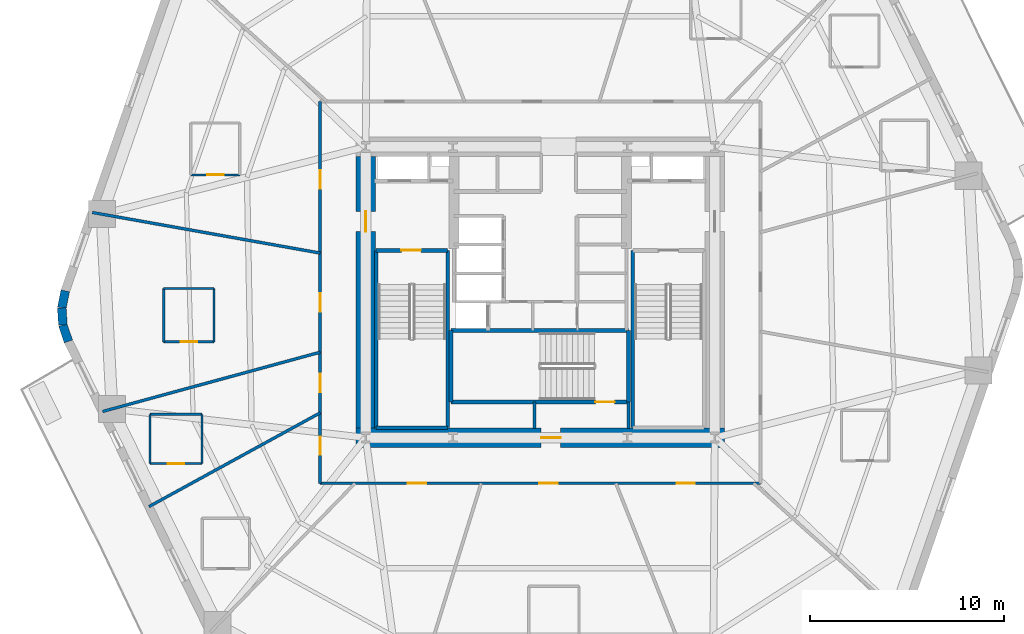
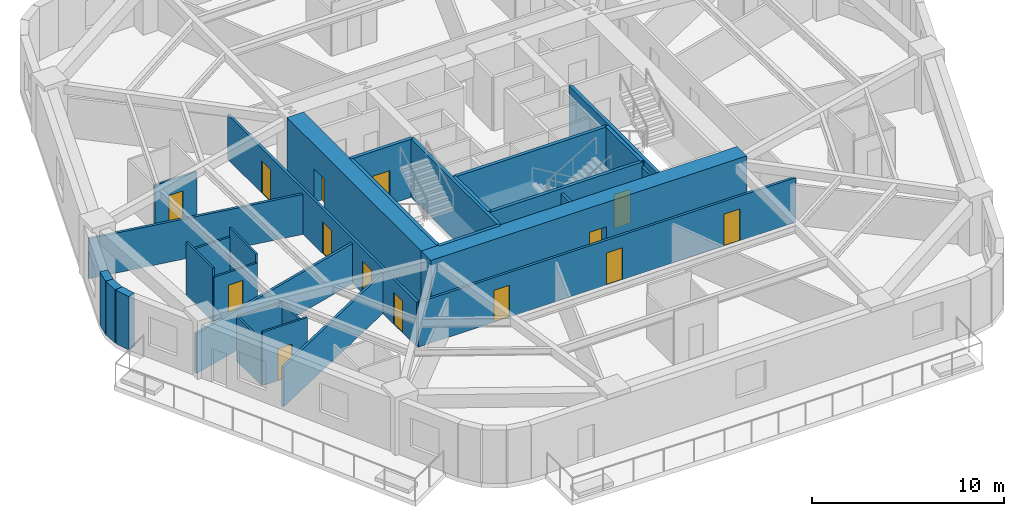
# One storey, part 3 of 10: 30 walls, 14 doors, 14 openings.
"""IFC4 building model written with IfcOpenShell, lengths in metres."""

from ifc_helpers import new_model, si_unit, direction, frame, frame_2d, origin, place, context, subcontext, project, spatial, rectangle, extrude, material, layer, layer_set, type_object, element, fill, save


model = new_model("IFC4")

# Units and contexts
model_context = context("Model", 3, precision=1e-05, world=origin(), true_north=direction((0.0, 1.0)))
body_context = subcontext(model_context, "Body", "Model", "MODEL_VIEW")
ifc_project = project(units=[si_unit("LENGTHUNIT", "METRE"), si_unit("AREAUNIT", "SQUARE_METRE"), si_unit("VOLUMEUNIT", "CUBIC_METRE"), si_unit("PLANEANGLEUNIT", "RADIAN"), si_unit("MASSUNIT", "GRAM", prefix="KILO")], contexts=[model_context])

# Site, building, storey
site_placement = place(None, origin())
site = spatial("IfcSite", under=ifc_project, at=site_placement, CompositionType="ELEMENT")
building_placement = place(site_placement, origin())
building = spatial("IfcBuilding", under=site, at=building_placement, Name="Kilnhurst Terrace Hotel", CompositionType="ELEMENT")
storey_placement = place(building_placement, frame((0.0, 0.0, 56.39990234375)))
storey = spatial("IfcBuildingStorey", under=building, at=storey_placement, Name="L12", CompositionType="ELEMENT", Elevation=56.39990234375)

# Walls
ifc_material_1 = material(Name="Precast concrete C40/50", Category="concrete")
ifc_layer_1 = layer(ifc_material_1, 0.449951171875, Name="Precast concrete C40/50")
ifc_layer_set_1 = layer_set([ifc_layer_1], Name="Precast concrete C40/50")
wall_type_1 = type_object("IfcWallType", Name="WL-BRK-450", PredefinedType="SOLIDWALL", material=ifc_layer_set_1)
wall_1_placement = place(storey_placement, frame((-24.49560546875, 0.07666015625, 0.0), z_axis=(0.0, 0.0, 1.0), x_axis=(-0.199570594521, -0.979883451132, 0.0)))
element("IfcWall", 1, at=wall_1_placement, inside=storey, type_object=wall_type_1, Name="L12 Rounded Corner Brick Wall C6.1", PredefinedType="SOLIDWALL", context=body_context, shape_type="SweptSolid", body=[
    extrude(rectangle(XDim=0.896728515625, YDim=0.449951171875, at=frame_2d((0.4482421875, 0.0))), origin(), (0.0, 0.0, 1.0), 3.400146484375),
])
wall_2_placement = place(storey_placement, frame((-24.674560546875, -0.802001953125, 0.0), z_axis=(0.0, 0.0, 1.0), x_axis=(0.061188874166, -0.998126205286, 0.0)))
element("IfcWall", 2, at=wall_2_placement, inside=storey, type_object=wall_type_1, Name="L12 Rounded Corner Brick Wall C6.2", PredefinedType="SOLIDWALL", context=body_context, shape_type="SweptSolid", body=[
    extrude(rectangle(XDim=0.8818359375, YDim=0.449951171875, at=frame_2d((0.44091796875, 0.0))), origin(), (0.0, 0.0, 1.0), 3.400146484375),
])
wall_3_placement = place(storey_placement, frame((-24.62060546875, -1.68212890625, 0.0), z_axis=(0.0, 0.0, 1.0), x_axis=(0.317697451681, -0.948192137278, 0.0)))
element("IfcWall", 3, at=wall_3_placement, inside=storey, type_object=wall_type_1, Name="L12 Rounded Corner Brick Wall C6.3", PredefinedType="SOLIDWALL", context=body_context, shape_type="SweptSolid", body=[
    extrude(rectangle(XDim=0.896728515625, YDim=0.449951171875, at=frame_2d((0.4482421875, 0.0))), origin(), (0.0, 0.0, 1.0), 3.400146484375),
])

# Wall, openings, doors
ifc_material_2 = material(Name="Acoustic Double-Gypsum Corridor Partition Assembly")
ifc_layer_2 = layer(ifc_material_2, 0.14990234375, Name="Acoustic Double-Gypsum Corridor Partition Assembly")
ifc_layer_set_2 = layer_set([ifc_layer_2], Name="Acoustic Double-Gypsum Corridor Partition Assembly")
wall_type_2 = type_object("IfcWallType", Name="WL-COR-150", PredefinedType="PARTITIONING", material=ifc_layer_set_2)
wall_4_placement = place(storey_placement, frame((-11.35009765625, -9.85009765625, 0.0), z_axis=(0.0, 0.0, 1.0), x_axis=(0.0, 1.0, 0.0)))
wall_4 = element("IfcWall", 4, at=wall_4_placement, inside=storey, type_object=wall_type_2, Name="L12 Interior Wall WL-L12-COR-01", PredefinedType="PARTITIONING", context=body_context, shape_type="SweptSolid", body=[
    extrude(rectangle(XDim=19.7001953125, YDim=0.14990234375, at=frame_2d((9.85009765625, 0.0))), origin(), (0.0, 0.0, 1.0), 2.840087890625),
])
opening_1_placement = place(wall_4_placement, frame((15.19091796875, 0.0, 0.0)))
opening_1 = element("IfcOpeningElement", 5, at=opening_1_placement, cuts=wall_4, Name="Opening D-60B", PredefinedType="OPENING", context=body_context, shape_type="SweptSolid", body=[
    extrude(rectangle(XDim=0.949951171875, YDim=2.030029296875, at=frame_2d((0.47509765625, 1.01513671875))), frame((0.0, 0.0849609375, 0.0), z_axis=(0.0, -1.0, 0.0), x_axis=(1.0, 0.0, 0.0)), (0.0, 0.0, 1.0), 0.169921875),
])
opening_2_placement = place(wall_4_placement, frame((8.837890625, 0.0, 0.0)))
opening_2 = element("IfcOpeningElement", 6, at=opening_2_placement, cuts=wall_4, Name="Opening D-60B", PredefinedType="OPENING", context=body_context, shape_type="SweptSolid", body=[
    extrude(rectangle(XDim=0.949951171875, YDim=2.030029296875, at=frame_2d((0.47509765625, 1.01513671875))), frame((0.0, 0.0849609375, 0.0), z_axis=(0.0, -1.0, 0.0), x_axis=(1.0, 0.0, 0.0)), (0.0, 0.0, 1.0), 0.169921875),
])
opening_3_placement = place(wall_4_placement, frame((4.7041015625, 0.0, 0.0)))
opening_3 = element("IfcOpeningElement", 7, at=opening_3_placement, cuts=wall_4, Name="Opening D-60B", PredefinedType="OPENING", context=body_context, shape_type="SweptSolid", body=[
    extrude(rectangle(XDim=0.949951171875, YDim=2.030029296875, at=frame_2d((0.47509765625, 1.01513671875))), frame((0.0, 0.0849609375, 0.0), z_axis=(0.0, -1.0, 0.0), x_axis=(1.0, 0.0, 0.0)), (0.0, 0.0, 1.0), 0.169921875),
])
opening_4_placement = place(wall_4_placement, frame((1.4619140625, 0.0, 0.0)))
opening_4 = element("IfcOpeningElement", 8, at=opening_4_placement, cuts=wall_4, Name="Opening D-60B", PredefinedType="OPENING", context=body_context, shape_type="SweptSolid", body=[
    extrude(rectangle(XDim=0.949951171875, YDim=2.030029296875, at=frame_2d((0.47509765625, 1.01513671875))), frame((0.0, 0.0849609375, 0.0), z_axis=(0.0, -1.0, 0.0), x_axis=(1.0, 0.0, 0.0)), (0.0, 0.0, 1.0), 0.169921875),
])
ifc_material_3 = material(Name="Acoustic Walnut Veneer Solid-Core Fire Door")
door_type_1 = type_object("IfcDoorType", Name="DR-FD60-950", OperationType="NOTDEFINED", PredefinedType="DOOR", material=ifc_material_3)
door_1_placement = place(opening_1_placement, origin())
door_1 = element("IfcDoor", 9, at=door_1_placement, inside=storey, type_object=door_type_1, Name="L12 Executive Suite Entry Door 6", OperationType="SINGLE_SWING_RIGHT", OverallHeight=2.030029296875, OverallWidth=0.949951171875, PredefinedType="DOOR", context=body_context, shape_type="SweptSolid", body=[
    extrude(rectangle(XDim=0.949951171875, YDim=2.030029296875, at=frame_2d((0.47509765625, 1.01513671875))), frame((0.0, 0.02490234375, 0.0), z_axis=(0.0, -1.0, 0.0), x_axis=(1.0, 0.0, 0.0)), (0.0, 0.0, 1.0), 0.050048828125),
])
fill(opening_1, door_1)
door_2_placement = place(opening_2_placement, origin())
door_2 = element("IfcDoor", 10, at=door_2_placement, inside=storey, type_object=door_type_1, Name="L12 Executive Suite Entry Door 7", OperationType="SINGLE_SWING_LEFT", OverallHeight=2.030029296875, OverallWidth=0.949951171875, PredefinedType="DOOR", context=body_context, shape_type="SweptSolid", body=[
    extrude(rectangle(XDim=0.949951171875, YDim=2.030029296875, at=frame_2d((0.47509765625, 1.01513671875))), frame((0.0, 0.02490234375, 0.0), z_axis=(0.0, -1.0, 0.0), x_axis=(1.0, 0.0, 0.0)), (0.0, 0.0, 1.0), 0.050048828125),
])
fill(opening_2, door_2)
door_3_placement = place(opening_3_placement, origin())
door_3 = element("IfcDoor", 11, at=door_3_placement, inside=storey, type_object=door_type_1, Name="L12 Guest Room Entry Door 8", OperationType="SINGLE_SWING_RIGHT", OverallHeight=2.030029296875, OverallWidth=0.949951171875, PredefinedType="DOOR", context=body_context, shape_type="SweptSolid", body=[
    extrude(rectangle(XDim=0.949951171875, YDim=2.030029296875, at=frame_2d((0.47509765625, 1.01513671875))), frame((0.0, 0.02490234375, 0.0), z_axis=(0.0, -1.0, 0.0), x_axis=(1.0, 0.0, 0.0)), (0.0, 0.0, 1.0), 0.050048828125),
])
fill(opening_3, door_3)
door_4_placement = place(opening_4_placement, origin())
door_4 = element("IfcDoor", 12, at=door_4_placement, inside=storey, type_object=door_type_1, Name="L12 Guest Room Entry Door 9", OperationType="SINGLE_SWING_LEFT", OverallHeight=2.030029296875, OverallWidth=0.949951171875, PredefinedType="DOOR", context=body_context, shape_type="SweptSolid", body=[
    extrude(rectangle(XDim=0.949951171875, YDim=2.030029296875, at=frame_2d((0.47509765625, 1.01513671875))), frame((0.0, 0.02490234375, 0.0), z_axis=(0.0, -1.0, 0.0), x_axis=(1.0, 0.0, 0.0)), (0.0, 0.0, 1.0), 0.050048828125),
])
fill(opening_4, door_4)

wall_5_placement = place(storey_placement, frame((11.35009765625, -9.85009765625, 0.0), z_axis=(0.0, 0.0, 1.0), x_axis=(-1.0, 0.0, 0.0)))
wall_5 = element("IfcWall", 13, at=wall_5_placement, inside=storey, type_object=wall_type_2, Name="L12 Interior Wall WL-L12-COR-04", PredefinedType="PARTITIONING", context=body_context, shape_type="SweptSolid", body=[
    extrude(rectangle(XDim=22.7001953125, YDim=0.14990234375, at=frame_2d((11.35009765625, 0.0))), origin(), (0.0, 0.0, 1.0), 2.840087890625),
])
opening_5_placement = place(wall_5_placement, frame((17.22509765625, 0.0, 0.0)))
opening_5 = element("IfcOpeningElement", 14, at=opening_5_placement, cuts=wall_5, Name="Opening D-60B", PredefinedType="OPENING", context=body_context, shape_type="SweptSolid", body=[
    extrude(rectangle(XDim=0.949951171875, YDim=2.030029296875, at=frame_2d((0.47509765625, 1.01513671875))), frame((0.0, 0.0849609375, 0.0), z_axis=(0.0, -1.0, 0.0), x_axis=(1.0, 0.0, 0.0)), (0.0, 0.0, 1.0), 0.169921875),
])
opening_6_placement = place(wall_5_placement, frame((10.444091796875, 0.0, 0.0)))
opening_6 = element("IfcOpeningElement", 15, at=opening_6_placement, cuts=wall_5, Name="Opening D-60B", PredefinedType="OPENING", context=body_context, shape_type="SweptSolid", body=[
    extrude(rectangle(XDim=0.949951171875, YDim=2.030029296875, at=frame_2d((0.47509765625, 1.01513671875))), frame((0.0, 0.0849609375, 0.0), z_axis=(0.0, -1.0, 0.0), x_axis=(1.0, 0.0, 0.0)), (0.0, 0.0, 1.0), 0.169921875),
])
opening_7_placement = place(wall_5_placement, frame((3.368896484375, 0.0, 0.0)))
opening_7 = element("IfcOpeningElement", 16, at=opening_7_placement, cuts=wall_5, Name="Opening D-60B", PredefinedType="OPENING", context=body_context, shape_type="SweptSolid", body=[
    extrude(rectangle(XDim=0.949951171875, YDim=2.030029296875, at=frame_2d((0.47509765625, 1.01513671875))), frame((0.0, 0.0849609375, 0.0), z_axis=(0.0, -1.0, 0.0), x_axis=(1.0, 0.0, 0.0)), (0.0, 0.0, 1.0), 0.169921875),
])
door_5_placement = place(opening_5_placement, origin())
door_5 = element("IfcDoor", 17, at=door_5_placement, inside=storey, type_object=door_type_1, Name="L12 Private Dining Salon Door", OperationType="SINGLE_SWING_RIGHT", OverallHeight=2.030029296875, OverallWidth=0.949951171875, PredefinedType="DOOR", context=body_context, shape_type="SweptSolid", body=[
    extrude(rectangle(XDim=0.949951171875, YDim=2.030029296875, at=frame_2d((0.47509765625, 1.01513671875))), frame((0.0, 0.02490234375, 0.0), z_axis=(0.0, -1.0, 0.0), x_axis=(1.0, 0.0, 0.0)), (0.0, 0.0, 1.0), 0.050048828125),
])
fill(opening_5, door_5)
door_6_placement = place(opening_6_placement, origin())
door_6 = element("IfcDoor", 18, at=door_6_placement, inside=storey, type_object=door_type_1, Name="L12 Executive Suite Entry Door 11", OperationType="SINGLE_SWING_LEFT", OverallHeight=2.030029296875, OverallWidth=0.949951171875, PredefinedType="DOOR", context=body_context, shape_type="SweptSolid", body=[
    extrude(rectangle(XDim=0.949951171875, YDim=2.030029296875, at=frame_2d((0.47509765625, 1.01513671875))), frame((0.0, 0.02490234375, 0.0), z_axis=(0.0, -1.0, 0.0), x_axis=(1.0, 0.0, 0.0)), (0.0, 0.0, 1.0), 0.050048828125),
])
fill(opening_6, door_6)
door_7_placement = place(opening_7_placement, origin())
door_7 = element("IfcDoor", 19, at=door_7_placement, inside=storey, type_object=door_type_1, Name="L12 Executive Boardroom Door", OperationType="SINGLE_SWING_RIGHT", OverallHeight=2.030029296875, OverallWidth=0.949951171875, PredefinedType="DOOR", context=body_context, shape_type="SweptSolid", body=[
    extrude(rectangle(XDim=0.949951171875, YDim=2.030029296875, at=frame_2d((0.47509765625, 1.01513671875))), frame((0.0, 0.02490234375, 0.0), z_axis=(0.0, -1.0, 0.0), x_axis=(1.0, 0.0, 0.0)), (0.0, 0.0, 1.0), 0.050048828125),
])
fill(opening_7, door_7)

# Wall, opening, door
ifc_material_4 = material(Name="Concrete C80/95", Category="concrete")
ifc_layer_3 = layer(ifc_material_4, 1.0, Name="Concrete C80/95")
ifc_layer_set_3 = layer_set([ifc_layer_3], Name="Concrete C80/95")
wall_type_3 = type_object("IfcWallType", Name="WL-CORE-1000", PredefinedType="SHEAR", material=ifc_layer_set_3)
wall_6_placement = place(storey_placement, frame((-9.5, -7.5, 0.0), z_axis=(0.0, 0.0, 1.0), x_axis=(1.0, 0.0, 0.0)))
wall_6 = element("IfcWall", 20, at=wall_6_placement, inside=storey, type_object=wall_type_3, Name="L12 Core South Shear Wall", PredefinedType="SHEAR", context=body_context, shape_type="SweptSolid", body=[
    extrude(rectangle(XDim=19.0, YDim=1.0, at=frame_2d((9.5, 0.0))), origin(), (0.0, 0.0, 1.0), 3.7001953125),
])
opening_8_placement = place(wall_6_placement, frame((9.550048828125, 0.0, 0.0)))
opening_8 = element("IfcOpeningElement", 21, at=opening_8_placement, cuts=wall_6, Name="Opening D-90B", PredefinedType="OPENING", context=body_context, shape_type="SweptSolid", body=[
    extrude(rectangle(XDim=1.0, YDim=2.14990234375, at=frame_2d((0.5, 1.074951171875))), frame((0.0, 0.510009765625, 0.0), z_axis=(0.0, -1.0, 0.0), x_axis=(1.0, 0.0, 0.0)), (0.0, 0.0, 1.0), 1.02001953125),
])
ifc_material_5 = material(Name="Painted Hollow Metal Steel ASTM A36 Fire Door", Category="steel")
door_type_2 = type_object("IfcDoorType", Name="DR-FD90-1000", OperationType="NOTDEFINED", PredefinedType="DOOR", material=ifc_material_5)
door_8_placement = place(opening_8_placement, origin())
door_8 = element("IfcDoor", 22, at=door_8_placement, inside=storey, type_object=door_type_2, Name="L12 Stair ST-3 Corridor Door", OperationType="SINGLE_SWING_RIGHT", OverallHeight=2.14990234375, OverallWidth=1.0, PredefinedType="DOOR", context=body_context, shape_type="SweptSolid", body=[
    extrude(rectangle(XDim=1.0, YDim=2.14990234375, at=frame_2d((0.5, 1.074951171875))), frame((0.0, 0.02490234375, 0.0), z_axis=(0.0, -1.0, 0.0), x_axis=(1.0, 0.0, 0.0)), (0.0, 0.0, 1.0), 0.050048828125),
])
fill(opening_8, door_8)

wall_7_placement = place(storey_placement, frame((-9.0, -7.0, 0.0), z_axis=(0.0, 0.0, 1.0), x_axis=(0.0, 1.0, 0.0)))
wall_7 = element("IfcWall", 23, at=wall_7_placement, inside=storey, type_object=wall_type_3, Name="L12 Core West Shear Wall", PredefinedType="SHEAR", context=body_context, shape_type="SweptSolid", body=[
    extrude(rectangle(XDim=14.0, YDim=1.0, at=frame_2d((7.0, 0.0))), origin(), (0.0, 0.0, 1.0), 3.7001953125),
])
opening_9_placement = place(wall_7_placement, frame((10.125, 0.0, 0.0)))
opening_9 = element("IfcOpeningElement", 24, at=opening_9_placement, cuts=wall_7, Name="Opening D-90A", PredefinedType="OPENING", context=body_context, shape_type="SweptSolid", body=[
    extrude(rectangle(XDim=1.050048828125, YDim=2.14990234375, at=frame_2d((0.52490234375, 1.074951171875))), frame((0.0, 0.510009765625, 0.0), z_axis=(0.0, -1.0, 0.0), x_axis=(1.0, 0.0, 0.0)), (0.0, 0.0, 1.0), 1.02001953125),
])
door_type_3 = type_object("IfcDoorType", Name="DR-FD90-1050", OperationType="NOTDEFINED", PredefinedType="DOOR", material=ifc_material_5)
door_9_placement = place(opening_9_placement, origin())
door_9 = element("IfcDoor", 25, at=door_9_placement, inside=storey, type_object=door_type_3, Name="L12 West Firefighting Lobby Door", OperationType="SINGLE_SWING_RIGHT", OverallHeight=2.14990234375, OverallWidth=1.050048828125, PredefinedType="DOOR", context=body_context, shape_type="SweptSolid", body=[
    extrude(rectangle(XDim=1.050048828125, YDim=2.14990234375, at=frame_2d((0.52490234375, 1.074951171875))), frame((0.0, 0.02490234375, 0.0), z_axis=(0.0, -1.0, 0.0), x_axis=(1.0, 0.0, 0.0)), (0.0, 0.0, 1.0), 0.050048828125),
])
fill(opening_9, door_9)

# Walls
ifc_material_6 = material(Name="STC-58 Acoustic Twin-Frame Guestroom Demising Partition")
ifc_layer_4 = layer(ifc_material_6, 0.14990234375, Name="STC-58 Acoustic Twin-Frame Guestroom Demising Partition")
ifc_layer_set_4 = layer_set([ifc_layer_4], Name="STC-58 Acoustic Twin-Frame Guestroom Demising Partition")
wall_type_4 = type_object("IfcWallType", Name="WL-DEM-150", PredefinedType="PARTITIONING", material=ifc_layer_set_4)
wall_8_placement = place(storey_placement, frame((-11.35009765625, 2.022705078125, 0.0), z_axis=(0.0, 0.0, 1.0), x_axis=(-0.984493741877, 0.17541970301, 0.0)))
element("IfcWall", 26, at=wall_8_placement, inside=storey, type_object=wall_type_4, Name="L12 Interior Wall WL-L12-DEM-COL06-07-1", PredefinedType="PARTITIONING", context=body_context, shape_type="SweptSolid", body=[
    extrude(rectangle(XDim=11.93701171875, YDim=0.14990234375, at=frame_2d((5.968505859375, 0.0))), origin(), (0.0, 0.0, 1.0), 2.5400390625),
])
wall_9_placement = place(storey_placement, frame((-11.35009765625, -3.0908203125, 0.0), z_axis=(0.0, 0.0, 1.0), x_axis=(-0.964859685283, -0.262765651704, 0.0)))
element("IfcWall", 27, at=wall_9_placement, inside=storey, type_object=wall_type_4, Name="L12 Interior Wall WL-L12-DEM-COL07-08-1", PredefinedType="PARTITIONING", context=body_context, shape_type="SweptSolid", body=[
    extrude(rectangle(XDim=11.62890625, YDim=0.14990234375, at=frame_2d((5.814453125, 0.0))), origin(), (0.0, 0.0, 1.0), 2.5400390625),
])
wall_10_placement = place(storey_placement, frame((-11.35009765625, -6.216552734375, 0.0), z_axis=(0.0, 0.0, 1.0), x_axis=(-0.877047587135, -0.480403507378, 0.0)))
element("IfcWall", 28, at=wall_10_placement, inside=storey, type_object=wall_type_4, Name="L12 Interior Wall WL-L12-DEM-MID07-09-1", PredefinedType="PARTITIONING", context=body_context, shape_type="SweptSolid", body=[
    extrude(rectangle(XDim=10.061767578125, YDim=0.14990234375, at=frame_2d((5.03076171875, 0.0))), origin(), (0.0, 0.0, 1.0), 2.5400390625),
])

# Wall, opening, door
ifc_material_7 = material(Name="120 mm Moisture-Resistant Tile-Backed Bathroom Partition")
ifc_layer_5 = layer(ifc_material_7, 0.1201171875, Name="120 mm Moisture-Resistant Tile-Backed Bathroom Partition")
ifc_layer_set_5 = layer_set([ifc_layer_5], Name="120 mm Moisture-Resistant Tile-Backed Bathroom Partition")
wall_type_5 = type_object("IfcWallType", Name="WL-PART-120", PredefinedType="PARTITIONING", material=ifc_layer_set_5)
wall_11_placement = place(storey_placement, frame((-18.01611328125, 6.052978515625, 0.0), z_axis=(0.0, 0.0, 1.0), x_axis=(1.0, 0.0, 0.0)))
wall_11 = element("IfcWall", 29, at=wall_11_placement, inside=storey, type_object=wall_type_5, Name="L12 Interior Wall WL-L12-BTH-06-1", PredefinedType="PARTITIONING", context=body_context, shape_type="SweptSolid", body=[
    extrude(rectangle(XDim=2.52001953125, YDim=0.1201171875, at=frame_2d((1.260009765625, 0.0))), origin(), (0.0, 0.0, 1.0), 2.972412109375),
])
opening_10_placement = place(wall_11_placement, frame((0.8349609375, 0.0, 0.0)))
opening_10 = element("IfcOpeningElement", 30, at=opening_10_placement, cuts=wall_11, Name="Opening D-08A", PredefinedType="OPENING", context=body_context, shape_type="SweptSolid", body=[
    extrude(rectangle(XDim=0.85009765625, YDim=2.030029296875, at=frame_2d((0.425048828125, 1.01513671875))), frame((0.0, 0.070068359375, 0.0), z_axis=(0.0, -1.0, 0.0), x_axis=(1.0, 0.0, 0.0)), (0.0, 0.0, 1.0), 0.14013671875),
])
ifc_material_8 = material(Name="Moisture-Resistant Lacquered En-suite Bathroom Door")
door_type_4 = type_object("IfcDoorType", Name="DR-INT-850", OperationType="NOTDEFINED", PredefinedType="DOOR", material=ifc_material_8)
door_10_placement = place(opening_10_placement, origin())
door_10 = element("IfcDoor", 31, at=door_10_placement, inside=storey, type_object=door_type_4, Name="L12 En-suite Bathroom Door 6", OperationType="SINGLE_SWING_LEFT", OverallHeight=2.030029296875, OverallWidth=0.85009765625, PredefinedType="DOOR", context=body_context, shape_type="SweptSolid", body=[
    extrude(rectangle(XDim=0.85009765625, YDim=2.030029296875, at=frame_2d((0.425048828125, 1.01513671875))), frame((0.0, 0.02490234375, 0.0), z_axis=(0.0, -1.0, 0.0), x_axis=(1.0, 0.0, 0.0)), (0.0, 0.0, 1.0), 0.050048828125),
])
fill(opening_10, door_10)

wall_12_placement = place(storey_placement, frame((-19.425048828125, -2.552978515625, 0.0), z_axis=(0.0, 0.0, 1.0), x_axis=(1.0, 0.0, 0.0)))
wall_12 = element("IfcWall", 32, at=wall_12_placement, inside=storey, type_object=wall_type_5, Name="L12 Interior Wall WL-L12-BTH-07-1", PredefinedType="PARTITIONING", context=body_context, shape_type="SweptSolid", body=[
    extrude(rectangle(XDim=2.60009765625, YDim=0.1201171875, at=frame_2d((1.300048828125, 0.0))), origin(), (0.0, 0.0, 1.0), 2.840576171875),
])
opening_11_placement = place(wall_12_placement, frame((0.875, 0.0, 0.0)))
opening_11 = element("IfcOpeningElement", 33, at=opening_11_placement, cuts=wall_12, Name="Opening D-08A", PredefinedType="OPENING", context=body_context, shape_type="SweptSolid", body=[
    extrude(rectangle(XDim=0.85009765625, YDim=2.030029296875, at=frame_2d((0.425048828125, 1.01513671875))), frame((0.0, 0.070068359375, 0.0), z_axis=(0.0, -1.0, 0.0), x_axis=(1.0, 0.0, 0.0)), (0.0, 0.0, 1.0), 0.14013671875),
])
door_11_placement = place(opening_11_placement, origin())
door_11 = element("IfcDoor", 34, at=door_11_placement, inside=storey, type_object=door_type_4, Name="L12 En-suite Bathroom Door 7", OperationType="SINGLE_SWING_RIGHT", OverallHeight=2.030029296875, OverallWidth=0.85009765625, PredefinedType="DOOR", context=body_context, shape_type="SweptSolid", body=[
    extrude(rectangle(XDim=0.85009765625, YDim=2.030029296875, at=frame_2d((0.425048828125, 1.01513671875))), frame((0.0, 0.02490234375, 0.0), z_axis=(0.0, -1.0, 0.0), x_axis=(1.0, 0.0, 0.0)), (0.0, 0.0, 1.0), 0.050048828125),
])
fill(opening_11, door_11)

# Walls
wall_13_placement = place(storey_placement, frame((-16.824951171875, -2.552978515625, 0.0), z_axis=(0.0, 0.0, 1.0), x_axis=(0.0, 1.0, 0.0)))
element("IfcWall", 35, at=wall_13_placement, inside=storey, type_object=wall_type_5, Name="L12 Interior Wall WL-L12-BTH-07-2", PredefinedType="PARTITIONING", context=body_context, shape_type="SweptSolid", body=[
    extrude(rectangle(XDim=2.75, YDim=0.1201171875, at=frame_2d((1.375, 0.0))), origin(), (0.0, 0.0, 1.0), 3.400146484375),
])
wall_14_placement = place(storey_placement, frame((-16.824951171875, 0.197021484375, 0.0), z_axis=(0.0, 0.0, 1.0), x_axis=(-1.0, 0.0, 0.0)))
element("IfcWall", 36, at=wall_14_placement, inside=storey, type_object=wall_type_5, Name="L12 Interior Wall WL-L12-BTH-07-3", PredefinedType="PARTITIONING", context=body_context, shape_type="SweptSolid", body=[
    extrude(rectangle(XDim=2.60009765625, YDim=0.1201171875, at=frame_2d((1.300048828125, 0.0))), origin(), (0.0, 0.0, 1.0), 2.840576171875),
])
wall_15_placement = place(storey_placement, frame((-19.425048828125, 0.197021484375, 0.0), z_axis=(0.0, 0.0, 1.0), x_axis=(0.0, -1.0, 0.0)))
element("IfcWall", 37, at=wall_15_placement, inside=storey, type_object=wall_type_5, Name="L12 Interior Wall WL-L12-BTH-07-4", PredefinedType="PARTITIONING", context=body_context, shape_type="SweptSolid", body=[
    extrude(rectangle(XDim=2.75, YDim=0.1201171875, at=frame_2d((1.375, 0.0))), origin(), (0.0, 0.0, 1.0), 3.400146484375),
])

# Wall, opening, door
wall_16_placement = place(storey_placement, frame((-20.126953125, -8.8330078125, 0.0), z_axis=(0.0, 0.0, 1.0), x_axis=(1.0, 0.0, 0.0)))
wall_16 = element("IfcWall", 38, at=wall_16_placement, inside=storey, type_object=wall_type_5, Name="L12 Interior Wall WL-L12-BTH-08-1", PredefinedType="PARTITIONING", context=body_context, shape_type="SweptSolid", body=[
    extrude(rectangle(XDim=2.679931640625, YDim=0.1201171875, at=frame_2d((1.33984375, 0.0))), origin(), (0.0, 0.0, 1.0), 3.400146484375),
])
opening_12_placement = place(wall_16_placement, frame((0.9150390625, 0.0, 0.0)))
opening_12 = element("IfcOpeningElement", 39, at=opening_12_placement, cuts=wall_16, Name="Opening D-08A", PredefinedType="OPENING", context=body_context, shape_type="SweptSolid", body=[
    extrude(rectangle(XDim=0.85009765625, YDim=2.030029296875, at=frame_2d((0.425048828125, 1.01513671875))), frame((0.0, 0.070068359375, 0.0), z_axis=(0.0, -1.0, 0.0), x_axis=(1.0, 0.0, 0.0)), (0.0, 0.0, 1.0), 0.14013671875),
])
door_12_placement = place(opening_12_placement, origin())
door_12 = element("IfcDoor", 40, at=door_12_placement, inside=storey, type_object=door_type_4, Name="L12 En-suite Bathroom Door 8", OperationType="SINGLE_SWING_LEFT", OverallHeight=2.030029296875, OverallWidth=0.85009765625, PredefinedType="DOOR", context=body_context, shape_type="SweptSolid", body=[
    extrude(rectangle(XDim=0.85009765625, YDim=2.030029296875, at=frame_2d((0.425048828125, 1.01513671875))), frame((0.0, 0.02490234375, 0.0), z_axis=(0.0, -1.0, 0.0), x_axis=(1.0, 0.0, 0.0)), (0.0, 0.0, 1.0), 0.050048828125),
])
fill(opening_12, door_12)

# Walls
wall_17_placement = place(storey_placement, frame((-17.447021484375, -8.8330078125, 0.0), z_axis=(0.0, 0.0, 1.0), x_axis=(0.0, 1.0, 0.0)))
element("IfcWall", 41, at=wall_17_placement, inside=storey, type_object=wall_type_5, Name="L12 Interior Wall WL-L12-BTH-08-2", PredefinedType="PARTITIONING", context=body_context, shape_type="SweptSolid", body=[
    extrude(rectangle(XDim=2.5400390625, YDim=0.1201171875, at=frame_2d((1.27001953125, 0.0))), origin(), (0.0, 0.0, 1.0), 2.840087890625),
])
wall_18_placement = place(storey_placement, frame((-17.447021484375, -6.29296875, 0.0), z_axis=(0.0, 0.0, 1.0), x_axis=(-1.0, 0.0, 0.0)))
element("IfcWall", 42, at=wall_18_placement, inside=storey, type_object=wall_type_5, Name="L12 Interior Wall WL-L12-BTH-08-3", PredefinedType="PARTITIONING", context=body_context, shape_type="SweptSolid", body=[
    extrude(rectangle(XDim=2.679931640625, YDim=0.1201171875, at=frame_2d((1.33984375, 0.0))), origin(), (0.0, 0.0, 1.0), 2.840087890625),
])
wall_19_placement = place(storey_placement, frame((-20.126953125, -6.29296875, 0.0), z_axis=(0.0, 0.0, 1.0), x_axis=(0.0, -1.0, 0.0)))
element("IfcWall", 43, at=wall_19_placement, inside=storey, type_object=wall_type_5, Name="L12 Interior Wall WL-L12-BTH-08-4", PredefinedType="PARTITIONING", context=body_context, shape_type="SweptSolid", body=[
    extrude(rectangle(XDim=2.5400390625, YDim=0.1201171875, at=frame_2d((1.27001953125, 0.0))), origin(), (0.0, 0.0, 1.0), 2.840087890625),
])
ifc_material_9 = material(Name="Fire-Rated Gypsum Shaftliner Assembly")
ifc_layer_6 = layer(ifc_material_9, 0.14990234375, Name="Fire-Rated Gypsum Shaftliner Assembly")
ifc_layer_set_6 = layer_set([ifc_layer_6], Name="Fire-Rated Gypsum Shaftliner Assembly")
wall_type_6 = type_object("IfcWallType", Name="WL-SHAFT-150", PredefinedType="PARTITIONING", material=ifc_layer_set_6)
for number, where, z_axis, x_axis, name in (
    (44, (-0.300048828125, -7.02001953125, 0.0), (0.0, 0.0, 1.0), (0.0, 1.0, 0.0), "L12 Interior Wall WL-L12-ST3-PSGW"),
    (45, (4.55810546875, -7.02001953125, 0.0), (0.0, 0.0, 1.0), (0.0, 1.0, 0.0), "L12 Interior Wall WL-L12-ST3-PSGE"),
):
    element("IfcWall", number, at=place(storey_placement, frame(where, z_axis=z_axis, x_axis=x_axis)), inside=storey, type_object=wall_type_6, Name=name, PredefinedType="PARTITIONING", context=body_context, shape_type="SweptSolid", body=[
        extrude(rectangle(XDim=1.362060546875, YDim=0.14990234375, at=frame_2d((0.68115234375, 0.0))), origin(), (0.0, 0.0, 1.0), 3.400146484375),
    ])
ifc_material_10 = material(Name="Concrete C50/60", Category="concrete")
ifc_layer_7 = layer(ifc_material_10, 0.199951171875, Name="Concrete C50/60")
ifc_layer_set_7 = layer_set([ifc_layer_7], Name="Concrete C50/60")
wall_type_7 = type_object("IfcWallType", Name="WL-STAIR-RC-200", PredefinedType="SHEAR", material=ifc_layer_set_7)
for number, where, z_axis, x_axis, name in (
    (46, (-8.4580078125, -6.985107421875, 0.0), (0.0, 0.0, 1.0), (0.0, 1.0, 0.0), "L12 Structural Stair Shaft Wall WL-L12-ST1-W"),
    (47, (-4.77197265625, -6.985107421875, 0.0), (0.0, 0.0, 1.0), (0.0, 1.0, 0.0), "L12 Structural Stair Shaft Wall WL-L12-ST1-E"),
):
    element("IfcWall", number, at=place(storey_placement, frame(where, z_axis=z_axis, x_axis=x_axis)), inside=storey, type_object=wall_type_7, Name=name, PredefinedType="SHEAR", context=body_context, shape_type="SweptSolid", body=[
        extrude(rectangle(XDim=9.14306640625, YDim=0.199951171875, at=frame_2d((4.571533203125, 0.0))), origin(), (0.0, 0.0, 1.0), 3.7001953125),
    ])
wall_20_placement = place(storey_placement, frame((-8.4580078125, -6.985107421875, 0.0), z_axis=(0.0, 0.0, 1.0), x_axis=(1.0, 0.0, 0.0)))
element("IfcWall", 48, at=wall_20_placement, inside=storey, type_object=wall_type_7, Name="L12 Structural Stair Shaft Wall WL-L12-ST1-S", PredefinedType="SHEAR", context=body_context, shape_type="SweptSolid", body=[
    extrude(rectangle(XDim=3.68603515625, YDim=0.199951171875, at=frame_2d((1.843017578125, 0.0))), origin(), (0.0, 0.0, 1.0), 3.7001953125),
])

# Wall, opening, door
wall_21_placement = place(storey_placement, frame((-8.4580078125, 2.157958984375, 0.0), z_axis=(0.0, 0.0, 1.0), x_axis=(1.0, 0.0, 0.0)))
wall_21 = element("IfcWall", 49, at=wall_21_placement, inside=storey, type_object=wall_type_7, Name="L12 Structural Stair Shaft Wall WL-L12-ST1-N", PredefinedType="SHEAR", context=body_context, shape_type="SweptSolid", body=[
    extrude(rectangle(XDim=3.68603515625, YDim=0.199951171875, at=frame_2d((1.843017578125, 0.0))), origin(), (0.0, 0.0, 1.0), 3.7001953125),
])
opening_13_placement = place(wall_21_placement, frame((1.300048828125, 0.0, 0.0)))
opening_13 = element("IfcOpeningElement", 50, at=opening_13_placement, cuts=wall_21, Name="Opening D-90B", PredefinedType="OPENING", context=body_context, shape_type="SweptSolid", body=[
    extrude(rectangle(XDim=1.0, YDim=2.14990234375, at=frame_2d((0.5, 1.074951171875))), frame((0.0, 0.10986328125, 0.0), z_axis=(0.0, -1.0, 0.0), x_axis=(1.0, 0.0, 0.0)), (0.0, 0.0, 1.0), 0.219970703125),
])
door_13_placement = place(opening_13_placement, origin())
door_13 = element("IfcDoor", 51, at=door_13_placement, inside=storey, type_object=door_type_2, Name="L12 Stair ST-1 Door", OperationType="SINGLE_SWING_LEFT", OverallHeight=2.14990234375, OverallWidth=1.0, PredefinedType="DOOR", context=body_context, shape_type="SweptSolid", body=[
    extrude(rectangle(XDim=1.0, YDim=2.14990234375, at=frame_2d((0.5, 1.074951171875))), frame((0.0, 0.02490234375, 0.0), z_axis=(0.0, -1.0, 0.0), x_axis=(1.0, 0.0, 0.0)), (0.0, 0.0, 1.0), 0.050048828125),
])
fill(opening_13, door_13)

# Walls
wall_22_placement = place(storey_placement, frame((4.77197265625, -6.985107421875, 0.0), z_axis=(0.0, 0.0, 1.0), x_axis=(0.0, 1.0, 0.0)))
element("IfcWall", 52, at=wall_22_placement, inside=storey, type_object=wall_type_7, Name="L12 Structural Stair Shaft Wall WL-L12-ST2-W", PredefinedType="SHEAR", context=body_context, shape_type="SweptSolid", body=[
    extrude(rectangle(XDim=9.14306640625, YDim=0.199951171875, at=frame_2d((4.571533203125, 0.0))), origin(), (0.0, 0.0, 1.0), 3.7001953125),
])
wall_23_placement = place(storey_placement, frame((-4.60791015625, -5.657958984375, 0.0), z_axis=(0.0, 0.0, 1.0), x_axis=(0.0, 1.0, 0.0)))
element("IfcWall", 53, at=wall_23_placement, inside=storey, type_object=wall_type_7, Name="L12 Structural Stair Shaft Wall WL-L12-ST3-W", PredefinedType="SHEAR", context=body_context, shape_type="SweptSolid", body=[
    extrude(rectangle(XDim=3.68603515625, YDim=0.199951171875, at=frame_2d((1.843017578125, 0.0))), origin(), (0.0, 0.0, 1.0), 3.7001953125),
])

# Wall, opening, door
wall_24_placement = place(storey_placement, frame((-4.60791015625, -5.657958984375, 0.0), z_axis=(0.0, 0.0, 1.0), x_axis=(1.0, 0.0, 0.0)))
wall_24 = element("IfcWall", 54, at=wall_24_placement, inside=storey, type_object=wall_type_7, Name="L12 Structural Stair Shaft Wall WL-L12-ST3-S", PredefinedType="SHEAR", context=body_context, shape_type="SweptSolid", body=[
    extrude(rectangle(XDim=9.166015625, YDim=0.199951171875, at=frame_2d((4.5830078125, 0.0))), origin(), (0.0, 0.0, 1.0), 3.7001953125),
])
opening_14_placement = place(wall_24_placement, frame((7.449951171875, 0.0, 0.0)))
opening_14 = element("IfcOpeningElement", 55, at=opening_14_placement, cuts=wall_24, Name="Opening D-90B", PredefinedType="OPENING", context=body_context, shape_type="SweptSolid", body=[
    extrude(rectangle(XDim=1.0, YDim=2.14990234375, at=frame_2d((0.5, 1.074951171875))), frame((0.0, 0.10986328125, 0.0), z_axis=(0.0, -1.0, 0.0), x_axis=(1.0, 0.0, 0.0)), (0.0, 0.0, 1.0), 0.219970703125),
])
door_14_placement = place(opening_14_placement, origin())
door_14 = element("IfcDoor", 56, at=door_14_placement, inside=storey, type_object=door_type_2, Name="L12 Stair ST-3 Shaft Door", OperationType="SINGLE_SWING_LEFT", OverallHeight=2.14990234375, OverallWidth=1.0, PredefinedType="DOOR", context=body_context, shape_type="SweptSolid", body=[
    extrude(rectangle(XDim=1.0, YDim=2.14990234375, at=frame_2d((0.5, 1.074951171875))), frame((0.0, 0.02490234375, 0.0), z_axis=(0.0, -1.0, 0.0), x_axis=(1.0, 0.0, 0.0)), (0.0, 0.0, 1.0), 0.050048828125),
])
fill(opening_14, door_14)

# Walls
wall_25_placement = place(storey_placement, frame((-4.60791015625, -1.971923828125, 0.0), z_axis=(0.0, 0.0, 1.0), x_axis=(1.0, 0.0, 0.0)))
element("IfcWall", 57, at=wall_25_placement, inside=storey, type_object=wall_type_7, Name="L12 Structural Stair Shaft Wall WL-L12-ST3-N", PredefinedType="SHEAR", context=body_context, shape_type="SweptSolid", body=[
    extrude(rectangle(XDim=9.166015625, YDim=0.199951171875, at=frame_2d((4.5830078125, 0.0))), origin(), (0.0, 0.0, 1.0), 3.7001953125),
])
wall_26_placement = place(storey_placement, frame((4.55810546875, -5.657958984375, 0.0), z_axis=(0.0, 0.0, 1.0), x_axis=(0.0, 1.0, 0.0)))
element("IfcWall", 58, at=wall_26_placement, inside=storey, type_object=wall_type_7, Name="L12 Structural Stair Shaft Wall WL-L12-ST3-E", PredefinedType="SHEAR", context=body_context, shape_type="SweptSolid", body=[
    extrude(rectangle(XDim=3.68603515625, YDim=0.199951171875, at=frame_2d((1.843017578125, 0.0))), origin(), (0.0, 0.0, 1.0), 3.7001953125),
])

save(model, "model.ifc")
